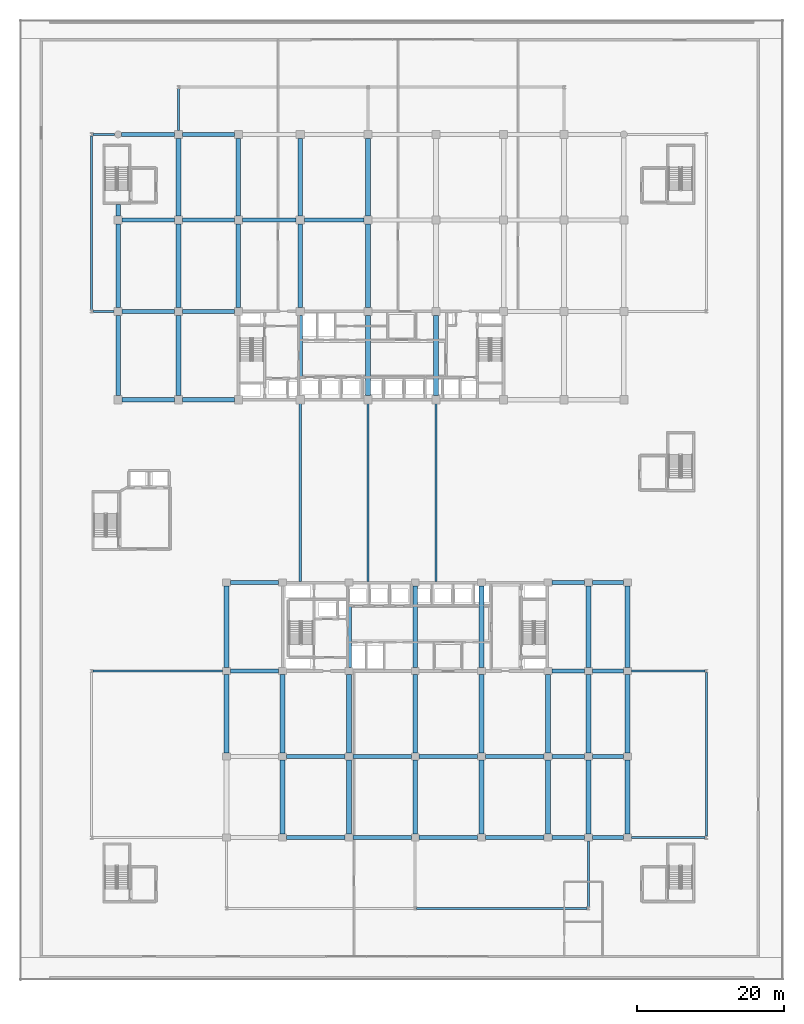
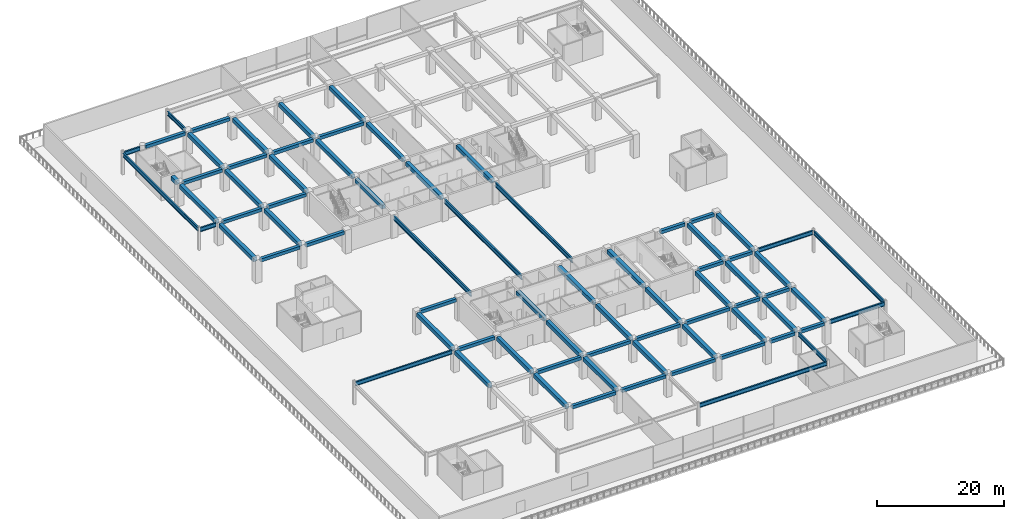
# One storey, part 10 of 43: 77 beams.
"""IFC4 building model written with IfcOpenShell, lengths in metres."""

from ifc_helpers import new_model, si_unit, direction, frame, origin, origin_2d, place, context, subcontext, project, spatial, rectangle, i_section, extrude, material, material_profile, profile_set, type_object, element, save


model = new_model("IFC4")

# Units and contexts
model_context = context("Model", 3, precision=1e-05, world=origin(), true_north=direction((0.0, 1.0)))
body_context = subcontext(model_context, "Body", "Model", "MODEL_VIEW")
ifc_project = project(units=[si_unit("LENGTHUNIT", "METRE"), si_unit("AREAUNIT", "SQUARE_METRE"), si_unit("VOLUMEUNIT", "CUBIC_METRE"), si_unit("PLANEANGLEUNIT", "RADIAN"), si_unit("MASSUNIT", "GRAM", prefix="KILO")], contexts=[model_context])

# Site, building, storey
site_placement = place(None, origin())
site = spatial("IfcSite", under=ifc_project, at=site_placement, CompositionType="ELEMENT")
building_placement = place(site_placement, origin())
building = spatial("IfcBuilding", under=site, at=building_placement, Name="Korimba Cascade Residences", CompositionType="ELEMENT")
storey_placement = place(building_placement, frame((0.0, 0.0, 10.0)))
storey = spatial("IfcBuildingStorey", under=building, at=storey_placement, Name="L02", CompositionType="ELEMENT", Elevation=10.0)

# Beams
ifc_material_1 = material(Name="Concrete C50/60", Category="concrete")
ifc_material_profile_1 = material_profile(ifc_material_1, rectangle(XDim=0.550048828125, YDim=0.60009765625, at=origin_2d()), Name="Concrete C50/60")
ifc_profile_set_1 = profile_set([ifc_material_profile_1], Name="Concrete C50/60")
beam_type_1 = type_object("IfcBeamType", Name="BM-RC-B600", PredefinedType="BEAM", material=ifc_profile_set_1)
beam_1_placement = place(storey_placement, frame((60.35009765625, 55.199951171875, 3.89990234375), z_axis=(1.0, 0.0, 0.0), x_axis=(0.0, 1.0, 0.0)))
element("IfcBeam", 1, at=beam_1_placement, inside=storey, type_object=beam_type_1, Name="L02 T1 E-W Girder Y1 Bay 1", PredefinedType="BEAM", context=body_context, shape_type="SweptSolid", body=[
    extrude(rectangle(XDim=0.550048828125, YDim=0.60009765625, at=origin_2d()), origin(), (0.0, 0.0, 1.0), 7.099853515625),
])
beam_2_placement = place(storey_placement, frame((68.550048828125, 55.199951171875, 3.89990234375), z_axis=(1.0, 0.0, 0.0), x_axis=(0.0, 1.0, 0.0)))
element("IfcBeam", 2, at=beam_2_placement, inside=storey, type_object=beam_type_1, Name="L02 T1 E-W Girder Y1 Bay 2", PredefinedType="BEAM", context=body_context, shape_type="SweptSolid", body=[
    extrude(rectangle(XDim=0.550048828125, YDim=0.60009765625, at=origin_2d()), origin(), (0.0, 0.0, 1.0), 7.0),
])
beam_3_placement = place(storey_placement, frame((60.35009765625, 67.199951171875, 3.89990234375), z_axis=(1.0, 0.0, 0.0), x_axis=(0.0, 1.0, 0.0)))
element("IfcBeam", 3, at=beam_3_placement, inside=storey, type_object=beam_type_1, Name="L02 T1 E-W Girder Y2 Bay 1", PredefinedType="BEAM", context=body_context, shape_type="SweptSolid", body=[
    extrude(rectangle(XDim=0.550048828125, YDim=0.60009765625, at=origin_2d()), origin(), (0.0, 0.0, 1.0), 7.099853515625),
])
beam_4_placement = place(storey_placement, frame((68.550048828125, 67.199951171875, 3.89990234375), z_axis=(1.0, 0.0, 0.0), x_axis=(0.0, 1.0, 0.0)))
element("IfcBeam", 4, at=beam_4_placement, inside=storey, type_object=beam_type_1, Name="L02 T1 E-W Girder Y2 Bay 2", PredefinedType="BEAM", context=body_context, shape_type="SweptSolid", body=[
    extrude(rectangle(XDim=0.550048828125, YDim=0.60009765625, at=origin_2d()), origin(), (0.0, 0.0, 1.0), 7.0),
])
beam_5_placement = place(storey_placement, frame((60.35009765625, 79.60009765625, 3.89990234375), z_axis=(1.0, 0.0, 0.0), x_axis=(0.0, 1.0, 0.0)))
element("IfcBeam", 5, at=beam_5_placement, inside=storey, type_object=beam_type_1, Name="L02 T1 E-W Girder Y3 Bay 1", PredefinedType="BEAM", context=body_context, shape_type="SweptSolid", body=[
    extrude(rectangle(XDim=0.550048828125, YDim=0.60009765625, at=origin_2d()), origin(), (0.0, 0.0, 1.0), 7.099853515625),
])
beam_6_placement = place(storey_placement, frame((68.550048828125, 79.60009765625, 3.89990234375), z_axis=(1.0, 0.0, 0.0), x_axis=(0.0, 1.0, 0.0)))
element("IfcBeam", 6, at=beam_6_placement, inside=storey, type_object=beam_type_1, Name="L02 T1 E-W Girder Y3 Bay 2", PredefinedType="BEAM", context=body_context, shape_type="SweptSolid", body=[
    extrude(rectangle(XDim=0.550048828125, YDim=0.60009765625, at=origin_2d()), origin(), (0.0, 0.0, 1.0), 7.0),
])
beam_7_placement = place(storey_placement, frame((76.64990234375, 79.60009765625, 3.89990234375), z_axis=(1.0, 0.0, 0.0), x_axis=(0.0, 1.0, 0.0)))
element("IfcBeam", 7, at=beam_7_placement, inside=storey, type_object=beam_type_1, Name="L02 T1 E-W Girder Y3 Bay 3", PredefinedType="BEAM", context=body_context, shape_type="SweptSolid", body=[
    extrude(rectangle(XDim=0.550048828125, YDim=0.60009765625, at=origin_2d()), origin(), (0.0, 0.0, 1.0), 7.300048828125),
])
beam_8_placement = place(storey_placement, frame((85.050048828125, 79.60009765625, 3.89990234375), z_axis=(1.0, 0.0, 0.0), x_axis=(0.0, 1.0, 0.0)))
element("IfcBeam", 8, at=beam_8_placement, inside=storey, type_object=beam_type_1, Name="L02 T1 E-W Girder Y3 Bay 4", PredefinedType="BEAM", context=body_context, shape_type="SweptSolid", body=[
    extrude(rectangle(XDim=0.550048828125, YDim=0.60009765625, at=origin_2d()), origin(), (0.0, 0.0, 1.0), 8.099853515625),
])
beam_9_placement = place(storey_placement, frame((60.27490234375, 91.199951171875, 3.89990234375), z_axis=(1.0, 0.0, 0.0), x_axis=(0.0, 1.0, 0.0)))
element("IfcBeam", 9, at=beam_9_placement, inside=storey, type_object=beam_type_1, Name="L02 T1 E-W Girder Y4 Bay 1", PredefinedType="BEAM", context=body_context, shape_type="SweptSolid", body=[
    extrude(rectangle(XDim=0.550048828125, YDim=0.60009765625, at=origin_2d()), origin(), (0.0, 0.0, 1.0), 7.175048828125),
])
beam_10_placement = place(storey_placement, frame((68.550048828125, 91.199951171875, 3.89990234375), z_axis=(1.0, 0.0, 0.0), x_axis=(0.0, 1.0, 0.0)))
element("IfcBeam", 10, at=beam_10_placement, inside=storey, type_object=beam_type_1, Name="L02 T1 E-W Girder Y4 Bay 2", PredefinedType="BEAM", context=body_context, shape_type="SweptSolid", body=[
    extrude(rectangle(XDim=0.550048828125, YDim=0.60009765625, at=origin_2d()), origin(), (0.0, 0.0, 1.0), 7.0),
])
for number, where, z_axis, x_axis, name in (
    (11, (82.625, -4.199951171875, 3.89990234375), (1.0, 0.0, 0.0), (0.0, 1.0, 0.0), "L02 T2 E-W Girder Y1 Bay 2"),
    (12, (91.625, -4.199951171875, 3.89990234375), (1.0, 0.0, 0.0), (0.0, 1.0, 0.0), "L02 T2 E-W Girder Y1 Bay 3"),
    (13, (100.625, -4.199951171875, 3.89990234375), (1.0, 0.0, 0.0), (0.0, 1.0, 0.0), "L02 T2 E-W Girder Y1 Bay 4"),
    (14, (109.625, -4.199951171875, 3.89990234375), (1.0, 0.0, 0.0), (0.0, 1.0, 0.0), "L02 T2 E-W Girder Y1 Bay 5"),
):
    element("IfcBeam", number, at=place(storey_placement, frame(where, z_axis=z_axis, x_axis=x_axis)), inside=storey, type_object=beam_type_1, Name=name, PredefinedType="BEAM", context=body_context, shape_type="SweptSolid", body=[
        extrude(rectangle(XDim=0.550048828125, YDim=0.60009765625, at=origin_2d()), origin(), (0.0, 0.0, 1.0), 7.949951171875),
    ])
beam_11_placement = place(storey_placement, frame((118.625, -4.199951171875, 3.89990234375), z_axis=(1.0, 0.0, 0.0), x_axis=(0.0, 1.0, 0.0)))
element("IfcBeam", 15, at=beam_11_placement, inside=storey, type_object=beam_type_1, Name="L02 T2 E-W Girder Y1 Bay 6", PredefinedType="BEAM", context=body_context, shape_type="SweptSolid", body=[
    extrude(rectangle(XDim=0.550048828125, YDim=0.60009765625, at=origin_2d()), origin(), (0.0, 0.0, 1.0), 4.449951171875),
])
beam_12_placement = place(storey_placement, frame((124.125, -4.199951171875, 3.89990234375), z_axis=(1.0, 0.0, 0.0), x_axis=(0.0, 1.0, 0.0)))
element("IfcBeam", 16, at=beam_12_placement, inside=storey, type_object=beam_type_1, Name="L02 T2 E-W Girder Y1 Bay 7", PredefinedType="BEAM", context=body_context, shape_type="SweptSolid", body=[
    extrude(rectangle(XDim=0.550048828125, YDim=0.60009765625, at=origin_2d()), origin(), (0.0, 0.0, 1.0), 4.25),
])
for number, where, z_axis, x_axis, name in (
    (17, (82.625, 6.800048828125, 3.89990234375), (1.0, 0.0, 0.0), (0.0, 1.0, 0.0), "L02 T2 E-W Girder Y2 Bay 2"),
    (18, (91.625, 6.800048828125, 3.89990234375), (1.0, 0.0, 0.0), (0.0, 1.0, 0.0), "L02 T2 E-W Girder Y2 Bay 3"),
    (19, (100.625, 6.800048828125, 3.89990234375), (1.0, 0.0, 0.0), (0.0, 1.0, 0.0), "L02 T2 E-W Girder Y2 Bay 4"),
    (20, (109.625, 6.800048828125, 3.89990234375), (1.0, 0.0, 0.0), (0.0, 1.0, 0.0), "L02 T2 E-W Girder Y2 Bay 5"),
):
    element("IfcBeam", number, at=place(storey_placement, frame(where, z_axis=z_axis, x_axis=x_axis)), inside=storey, type_object=beam_type_1, Name=name, PredefinedType="BEAM", context=body_context, shape_type="SweptSolid", body=[
        extrude(rectangle(XDim=0.550048828125, YDim=0.60009765625, at=origin_2d()), origin(), (0.0, 0.0, 1.0), 7.949951171875),
    ])
beam_13_placement = place(storey_placement, frame((118.625, 6.800048828125, 3.89990234375), z_axis=(1.0, 0.0, 0.0), x_axis=(0.0, 1.0, 0.0)))
element("IfcBeam", 21, at=beam_13_placement, inside=storey, type_object=beam_type_1, Name="L02 T2 E-W Girder Y2 Bay 6", PredefinedType="BEAM", context=body_context, shape_type="SweptSolid", body=[
    extrude(rectangle(XDim=0.550048828125, YDim=0.60009765625, at=origin_2d()), origin(), (0.0, 0.0, 1.0), 4.449951171875),
])
beam_14_placement = place(storey_placement, frame((124.125, 6.800048828125, 3.89990234375), z_axis=(1.0, 0.0, 0.0), x_axis=(0.0, 1.0, 0.0)))
element("IfcBeam", 22, at=beam_14_placement, inside=storey, type_object=beam_type_1, Name="L02 T2 E-W Girder Y2 Bay 7", PredefinedType="BEAM", context=body_context, shape_type="SweptSolid", body=[
    extrude(rectangle(XDim=0.550048828125, YDim=0.60009765625, at=origin_2d()), origin(), (0.0, 0.0, 1.0), 4.25),
])
beam_15_placement = place(storey_placement, frame((75.02490234375, 18.39990234375, 3.89990234375), z_axis=(1.0, 0.0, 0.0), x_axis=(0.0, 1.0, 0.0)))
element("IfcBeam", 23, at=beam_15_placement, inside=storey, type_object=beam_type_1, Name="L02 T2 E-W Girder Y3 Bay 1", PredefinedType="BEAM", context=body_context, shape_type="SweptSolid", body=[
    extrude(rectangle(XDim=0.550048828125, YDim=0.60009765625, at=origin_2d()), origin(), (0.0, 0.0, 1.0), 6.550048828125),
])
beam_16_placement = place(storey_placement, frame((118.625, 18.39990234375, 3.89990234375), z_axis=(1.0, 0.0, 0.0), x_axis=(0.0, 1.0, 0.0)))
element("IfcBeam", 24, at=beam_16_placement, inside=storey, type_object=beam_type_1, Name="L02 T2 E-W Girder Y3 Bay 6", PredefinedType="BEAM", context=body_context, shape_type="SweptSolid", body=[
    extrude(rectangle(XDim=0.550048828125, YDim=0.60009765625, at=origin_2d()), origin(), (0.0, 0.0, 1.0), 4.449951171875),
])
beam_17_placement = place(storey_placement, frame((124.125, 18.39990234375, 3.89990234375), z_axis=(1.0, 0.0, 0.0), x_axis=(0.0, 1.0, 0.0)))
element("IfcBeam", 25, at=beam_17_placement, inside=storey, type_object=beam_type_1, Name="L02 T2 E-W Girder Y3 Bay 7", PredefinedType="BEAM", context=body_context, shape_type="SweptSolid", body=[
    extrude(rectangle(XDim=0.550048828125, YDim=0.60009765625, at=origin_2d()), origin(), (0.0, 0.0, 1.0), 4.25),
])
beam_18_placement = place(storey_placement, frame((75.02490234375, 30.39990234375, 3.89990234375), z_axis=(1.0, 0.0, 0.0), x_axis=(0.0, 1.0, 0.0)))
element("IfcBeam", 26, at=beam_18_placement, inside=storey, type_object=beam_type_1, Name="L02 T2 E-W Girder Y4 Bay 1", PredefinedType="BEAM", context=body_context, shape_type="SweptSolid", body=[
    extrude(rectangle(XDim=0.550048828125, YDim=0.60009765625, at=origin_2d()), origin(), (0.0, 0.0, 1.0), 6.550048828125),
])
beam_19_placement = place(storey_placement, frame((118.625, 30.39990234375, 3.89990234375), z_axis=(1.0, 0.0, 0.0), x_axis=(0.0, 1.0, 0.0)))
element("IfcBeam", 27, at=beam_19_placement, inside=storey, type_object=beam_type_1, Name="L02 T2 E-W Girder Y4 Bay 6", PredefinedType="BEAM", context=body_context, shape_type="SweptSolid", body=[
    extrude(rectangle(XDim=0.550048828125, YDim=0.60009765625, at=origin_2d()), origin(), (0.0, 0.0, 1.0), 4.449951171875),
])
beam_20_placement = place(storey_placement, frame((124.125, 30.39990234375, 3.89990234375), z_axis=(1.0, 0.0, 0.0), x_axis=(0.0, 1.0, 0.0)))
element("IfcBeam", 28, at=beam_20_placement, inside=storey, type_object=beam_type_1, Name="L02 T2 E-W Girder Y4 Bay 7", PredefinedType="BEAM", context=body_context, shape_type="SweptSolid", body=[
    extrude(rectangle(XDim=0.550048828125, YDim=0.60009765625, at=origin_2d()), origin(), (0.0, 0.0, 1.0), 4.25),
])
ifc_material_profile_2 = material_profile(ifc_material_1, rectangle(XDim=0.64990234375, YDim=0.75, at=origin_2d()), Name="Concrete C50/60")
ifc_profile_set_2 = profile_set([ifc_material_profile_2], Name="Concrete C50/60")
beam_type_2 = type_object("IfcBeamType", Name="BM-RC-G750", PredefinedType="BEAM", material=ifc_profile_set_2)
beam_21_placement = place(storey_placement, frame((59.800048828125, 55.75, 3.824951171875), z_axis=(0.0, 1.0, 0.0), x_axis=(-1.0, 0.0, 0.0)))
element("IfcBeam", 29, at=beam_21_placement, inside=storey, type_object=beam_type_2, Name="L02 T1 N-S Girder X1 Seg 1", PredefinedType="BEAM", context=body_context, shape_type="SweptSolid", body=[
    extrude(rectangle(XDim=0.64990234375, YDim=0.75, at=origin_2d()), origin(), (0.0, 0.0, 1.0), 10.89990234375),
])
beam_22_placement = place(storey_placement, frame((59.800048828125, 67.75, 3.824951171875), z_axis=(0.0, 1.0, 0.0), x_axis=(-1.0, 0.0, 0.0)))
element("IfcBeam", 30, at=beam_22_placement, inside=storey, type_object=beam_type_2, Name="L02 T1 N-S Girder X1 Seg 2", PredefinedType="BEAM", context=body_context, shape_type="SweptSolid", body=[
    extrude(rectangle(XDim=0.64990234375, YDim=0.75, at=origin_2d()), origin(), (0.0, 0.0, 1.0), 11.300048828125),
])
beam_23_placement = place(storey_placement, frame((59.800048828125, 80.14990234375, 3.824951171875), z_axis=(0.0, 1.0, 0.0), x_axis=(-1.0, 0.0, 0.0)))
element("IfcBeam", 31, at=beam_23_placement, inside=storey, type_object=beam_type_2, Name="L02 T1 N-S Girder X1 Seg 3", PredefinedType="BEAM", context=body_context, shape_type="SweptSolid", body=[
    extrude(rectangle(XDim=0.64990234375, YDim=0.75, at=origin_2d()), origin(), (0.0, 0.0, 1.0), 1.550048828125),
])
beam_24_placement = place(storey_placement, frame((68.0, 55.75, 3.824951171875), z_axis=(0.0, 1.0, 0.0), x_axis=(-1.0, 0.0, 0.0)))
element("IfcBeam", 32, at=beam_24_placement, inside=storey, type_object=beam_type_2, Name="L02 T1 N-S Girder X2 Seg 1", PredefinedType="BEAM", context=body_context, shape_type="SweptSolid", body=[
    extrude(rectangle(XDim=0.64990234375, YDim=0.75, at=origin_2d()), origin(), (0.0, 0.0, 1.0), 10.89990234375),
])
beam_25_placement = place(storey_placement, frame((68.0, 67.75, 3.824951171875), z_axis=(0.0, 1.0, 0.0), x_axis=(-1.0, 0.0, 0.0)))
element("IfcBeam", 33, at=beam_25_placement, inside=storey, type_object=beam_type_2, Name="L02 T1 N-S Girder X2 Seg 2", PredefinedType="BEAM", context=body_context, shape_type="SweptSolid", body=[
    extrude(rectangle(XDim=0.64990234375, YDim=0.75, at=origin_2d()), origin(), (0.0, 0.0, 1.0), 11.300048828125),
])
beam_26_placement = place(storey_placement, frame((68.0, 80.14990234375, 3.824951171875), z_axis=(0.0, 1.0, 0.0), x_axis=(-1.0, 0.0, 0.0)))
element("IfcBeam", 34, at=beam_26_placement, inside=storey, type_object=beam_type_2, Name="L02 T1 N-S Girder X2 Seg 3", PredefinedType="BEAM", context=body_context, shape_type="SweptSolid", body=[
    extrude(rectangle(XDim=0.64990234375, YDim=0.75, at=origin_2d()), origin(), (0.0, 0.0, 1.0), 10.5),
])
beam_27_placement = place(storey_placement, frame((76.10009765625, 67.75, 3.824951171875), z_axis=(0.0, 1.0, 0.0), x_axis=(-1.0, 0.0, 0.0)))
element("IfcBeam", 35, at=beam_27_placement, inside=storey, type_object=beam_type_2, Name="L02 T1 N-S Girder X3 Seg 2", PredefinedType="BEAM", context=body_context, shape_type="SweptSolid", body=[
    extrude(rectangle(XDim=0.64990234375, YDim=0.75, at=origin_2d()), origin(), (0.0, 0.0, 1.0), 11.300048828125),
])
beam_28_placement = place(storey_placement, frame((76.10009765625, 80.14990234375, 3.824951171875), z_axis=(0.0, 1.0, 0.0), x_axis=(-1.0, 0.0, 0.0)))
element("IfcBeam", 36, at=beam_28_placement, inside=storey, type_object=beam_type_2, Name="L02 T1 N-S Girder X3 Seg 3", PredefinedType="BEAM", context=body_context, shape_type="SweptSolid", body=[
    extrude(rectangle(XDim=0.64990234375, YDim=0.75, at=origin_2d()), origin(), (0.0, 0.0, 1.0), 10.5),
])
beam_29_placement = place(storey_placement, frame((84.5, 58.159912109375, 3.824951171875), z_axis=(0.0, 1.0, 0.0), x_axis=(-1.0, 0.0, 0.0)))
element("IfcBeam", 37, at=beam_29_placement, inside=storey, type_object=beam_type_2, Name="L02 T1 N-S Girder X4 Seg 1", PredefinedType="BEAM", context=body_context, shape_type="SweptSolid", body=[
    extrude(rectangle(XDim=0.64990234375, YDim=0.75, at=origin_2d()), origin(), (0.0, 0.0, 1.0), 8.489990234375),
])
beam_30_placement = place(storey_placement, frame((84.5, 67.75, 3.824951171875), z_axis=(0.0, 1.0, 0.0), x_axis=(-1.0, 0.0, 0.0)))
element("IfcBeam", 38, at=beam_30_placement, inside=storey, type_object=beam_type_2, Name="L02 T1 N-S Girder X4 Seg 2", PredefinedType="BEAM", context=body_context, shape_type="SweptSolid", body=[
    extrude(rectangle(XDim=0.64990234375, YDim=0.75, at=origin_2d()), origin(), (0.0, 0.0, 1.0), 11.300048828125),
])
beam_31_placement = place(storey_placement, frame((84.5, 80.14990234375, 3.824951171875), z_axis=(0.0, 1.0, 0.0), x_axis=(-1.0, 0.0, 0.0)))
element("IfcBeam", 39, at=beam_31_placement, inside=storey, type_object=beam_type_2, Name="L02 T1 N-S Girder X4 Seg 3", PredefinedType="BEAM", context=body_context, shape_type="SweptSolid", body=[
    extrude(rectangle(XDim=0.64990234375, YDim=0.75, at=origin_2d()), origin(), (0.0, 0.0, 1.0), 10.5),
])
beam_32_placement = place(storey_placement, frame((93.699951171875, 55.75, 3.824951171875), z_axis=(0.0, 1.0, 0.0), x_axis=(-1.0, 0.0, 0.0)))
element("IfcBeam", 40, at=beam_32_placement, inside=storey, type_object=beam_type_2, Name="L02 T1 N-S Girder X5 Seg 1", PredefinedType="BEAM", context=body_context, shape_type="SweptSolid", body=[
    extrude(rectangle(XDim=0.64990234375, YDim=0.75, at=origin_2d()), origin(), (0.0, 0.0, 1.0), 10.89990234375),
])
beam_33_placement = place(storey_placement, frame((93.699951171875, 67.75, 3.824951171875), z_axis=(0.0, 1.0, 0.0), x_axis=(-1.0, 0.0, 0.0)))
element("IfcBeam", 41, at=beam_33_placement, inside=storey, type_object=beam_type_2, Name="L02 T1 N-S Girder X5 Seg 2", PredefinedType="BEAM", context=body_context, shape_type="SweptSolid", body=[
    extrude(rectangle(XDim=0.64990234375, YDim=0.75, at=origin_2d()), origin(), (0.0, 0.0, 1.0), 11.300048828125),
])
beam_34_placement = place(storey_placement, frame((93.699951171875, 80.14990234375, 3.824951171875), z_axis=(0.0, 1.0, 0.0), x_axis=(-1.0, 0.0, 0.0)))
element("IfcBeam", 42, at=beam_34_placement, inside=storey, type_object=beam_type_2, Name="L02 T1 N-S Girder X5 Seg 3", PredefinedType="BEAM", context=body_context, shape_type="SweptSolid", body=[
    extrude(rectangle(XDim=0.64990234375, YDim=0.75, at=origin_2d()), origin(), (0.0, 0.0, 1.0), 10.5),
])
beam_35_placement = place(storey_placement, frame((102.89990234375, 55.75, 3.824951171875), z_axis=(0.0, 1.0, 0.0), x_axis=(-1.0, 0.0, 0.0)))
element("IfcBeam", 43, at=beam_35_placement, inside=storey, type_object=beam_type_2, Name="L02 T1 N-S Girder X6 Seg 1", PredefinedType="BEAM", context=body_context, shape_type="SweptSolid", body=[
    extrude(rectangle(XDim=0.64990234375, YDim=0.75, at=origin_2d()), origin(), (0.0, 0.0, 1.0), 10.89990234375),
])
beam_36_placement = place(storey_placement, frame((74.5, 7.27490234375, 3.824951171875), z_axis=(0.0, 1.0, 0.0), x_axis=(-1.0, 0.0, 0.0)))
element("IfcBeam", 44, at=beam_36_placement, inside=storey, type_object=beam_type_2, Name="L02 T2 N-S Girder X1 Seg 2", PredefinedType="BEAM", context=body_context, shape_type="SweptSolid", body=[
    extrude(rectangle(XDim=0.64990234375, YDim=0.75, at=origin_2d()), origin(), (0.0, 0.0, 1.0), 10.650146484375),
])
beam_37_placement = place(storey_placement, frame((74.5, 18.875, 3.824951171875), z_axis=(0.0, 1.0, 0.0), x_axis=(-1.0, 0.0, 0.0)))
element("IfcBeam", 45, at=beam_37_placement, inside=storey, type_object=beam_type_2, Name="L02 T2 N-S Girder X1 Seg 3", PredefinedType="BEAM", context=body_context, shape_type="SweptSolid", body=[
    extrude(rectangle(XDim=0.64990234375, YDim=0.75, at=origin_2d()), origin(), (0.0, 0.0, 1.0), 11.050048828125),
])
beam_38_placement = place(storey_placement, frame((82.10009765625, -3.72509765625, 3.824951171875), z_axis=(0.0, 1.0, 0.0), x_axis=(-1.0, 0.0, 0.0)))
element("IfcBeam", 46, at=beam_38_placement, inside=storey, type_object=beam_type_2, Name="L02 T2 N-S Girder X2 Seg 1", PredefinedType="BEAM", context=body_context, shape_type="SweptSolid", body=[
    extrude(rectangle(XDim=0.64990234375, YDim=0.75, at=origin_2d()), origin(), (0.0, 0.0, 1.0), 10.050048828125),
])
beam_39_placement = place(storey_placement, frame((82.10009765625, 7.27490234375, 3.824951171875), z_axis=(0.0, 1.0, 0.0), x_axis=(-1.0, 0.0, 0.0)))
element("IfcBeam", 47, at=beam_39_placement, inside=storey, type_object=beam_type_2, Name="L02 T2 N-S Girder X2 Seg 2", PredefinedType="BEAM", context=body_context, shape_type="SweptSolid", body=[
    extrude(rectangle(XDim=0.64990234375, YDim=0.75, at=origin_2d()), origin(), (0.0, 0.0, 1.0), 10.650146484375),
])
beam_40_placement = place(storey_placement, frame((91.10009765625, -3.72509765625, 3.824951171875), z_axis=(0.0, 1.0, 0.0), x_axis=(-1.0, 0.0, 0.0)))
element("IfcBeam", 48, at=beam_40_placement, inside=storey, type_object=beam_type_2, Name="L02 T2 N-S Girder X3 Seg 1", PredefinedType="BEAM", context=body_context, shape_type="SweptSolid", body=[
    extrude(rectangle(XDim=0.64990234375, YDim=0.75, at=origin_2d()), origin(), (0.0, 0.0, 1.0), 10.050048828125),
])
beam_41_placement = place(storey_placement, frame((91.10009765625, 7.27490234375, 3.824951171875), z_axis=(0.0, 1.0, 0.0), x_axis=(-1.0, 0.0, 0.0)))
element("IfcBeam", 49, at=beam_41_placement, inside=storey, type_object=beam_type_2, Name="L02 T2 N-S Girder X3 Seg 2", PredefinedType="BEAM", context=body_context, shape_type="SweptSolid", body=[
    extrude(rectangle(XDim=0.64990234375, YDim=0.75, at=origin_2d()), origin(), (0.0, 0.0, 1.0), 10.650146484375),
])
beam_42_placement = place(storey_placement, frame((91.10009765625, 18.875, 3.824951171875), z_axis=(0.0, 1.0, 0.0), x_axis=(-1.0, 0.0, 0.0)))
element("IfcBeam", 50, at=beam_42_placement, inside=storey, type_object=beam_type_2, Name="L02 T2 N-S Girder X3 Seg 3", PredefinedType="BEAM", context=body_context, shape_type="SweptSolid", body=[
    extrude(rectangle(XDim=0.64990234375, YDim=0.75, at=origin_2d()), origin(), (0.0, 0.0, 1.0), 8.465087890625),
])
beam_43_placement = place(storey_placement, frame((100.10009765625, -3.72509765625, 3.824951171875), z_axis=(0.0, 1.0, 0.0), x_axis=(-1.0, 0.0, 0.0)))
element("IfcBeam", 51, at=beam_43_placement, inside=storey, type_object=beam_type_2, Name="L02 T2 N-S Girder X4 Seg 1", PredefinedType="BEAM", context=body_context, shape_type="SweptSolid", body=[
    extrude(rectangle(XDim=0.64990234375, YDim=0.75, at=origin_2d()), origin(), (0.0, 0.0, 1.0), 10.050048828125),
])
beam_44_placement = place(storey_placement, frame((100.10009765625, 7.27490234375, 3.824951171875), z_axis=(0.0, 1.0, 0.0), x_axis=(-1.0, 0.0, 0.0)))
element("IfcBeam", 52, at=beam_44_placement, inside=storey, type_object=beam_type_2, Name="L02 T2 N-S Girder X4 Seg 2", PredefinedType="BEAM", context=body_context, shape_type="SweptSolid", body=[
    extrude(rectangle(XDim=0.64990234375, YDim=0.75, at=origin_2d()), origin(), (0.0, 0.0, 1.0), 10.650146484375),
])
beam_45_placement = place(storey_placement, frame((100.10009765625, 18.875, 3.824951171875), z_axis=(0.0, 1.0, 0.0), x_axis=(-1.0, 0.0, 0.0)))
element("IfcBeam", 53, at=beam_45_placement, inside=storey, type_object=beam_type_2, Name="L02 T2 N-S Girder X4 Seg 3", PredefinedType="BEAM", context=body_context, shape_type="SweptSolid", body=[
    extrude(rectangle(XDim=0.64990234375, YDim=0.75, at=origin_2d()), origin(), (0.0, 0.0, 1.0), 11.050048828125),
])
beam_46_placement = place(storey_placement, frame((109.10009765625, -3.72509765625, 3.824951171875), z_axis=(0.0, 1.0, 0.0), x_axis=(-1.0, 0.0, 0.0)))
element("IfcBeam", 54, at=beam_46_placement, inside=storey, type_object=beam_type_2, Name="L02 T2 N-S Girder X5 Seg 1", PredefinedType="BEAM", context=body_context, shape_type="SweptSolid", body=[
    extrude(rectangle(XDim=0.64990234375, YDim=0.75, at=origin_2d()), origin(), (0.0, 0.0, 1.0), 10.050048828125),
])
beam_47_placement = place(storey_placement, frame((109.10009765625, 7.27490234375, 3.824951171875), z_axis=(0.0, 1.0, 0.0), x_axis=(-1.0, 0.0, 0.0)))
element("IfcBeam", 55, at=beam_47_placement, inside=storey, type_object=beam_type_2, Name="L02 T2 N-S Girder X5 Seg 2", PredefinedType="BEAM", context=body_context, shape_type="SweptSolid", body=[
    extrude(rectangle(XDim=0.64990234375, YDim=0.75, at=origin_2d()), origin(), (0.0, 0.0, 1.0), 10.650146484375),
])
beam_48_placement = place(storey_placement, frame((109.10009765625, 18.875, 3.824951171875), z_axis=(0.0, 1.0, 0.0), x_axis=(-1.0, 0.0, 0.0)))
element("IfcBeam", 56, at=beam_48_placement, inside=storey, type_object=beam_type_2, Name="L02 T2 N-S Girder X5 Seg 3", PredefinedType="BEAM", context=body_context, shape_type="SweptSolid", body=[
    extrude(rectangle(XDim=0.64990234375, YDim=0.75, at=origin_2d()), origin(), (0.0, 0.0, 1.0), 11.050048828125),
])
beam_49_placement = place(storey_placement, frame((118.10009765625, -3.72509765625, 3.824951171875), z_axis=(0.0, 1.0, 0.0), x_axis=(-1.0, 0.0, 0.0)))
element("IfcBeam", 57, at=beam_49_placement, inside=storey, type_object=beam_type_2, Name="L02 T2 N-S Girder X6 Seg 1", PredefinedType="BEAM", context=body_context, shape_type="SweptSolid", body=[
    extrude(rectangle(XDim=0.64990234375, YDim=0.75, at=origin_2d()), origin(), (0.0, 0.0, 1.0), 10.050048828125),
])
beam_50_placement = place(storey_placement, frame((118.10009765625, 7.27490234375, 3.824951171875), z_axis=(0.0, 1.0, 0.0), x_axis=(-1.0, 0.0, 0.0)))
element("IfcBeam", 58, at=beam_50_placement, inside=storey, type_object=beam_type_2, Name="L02 T2 N-S Girder X6 Seg 2", PredefinedType="BEAM", context=body_context, shape_type="SweptSolid", body=[
    extrude(rectangle(XDim=0.64990234375, YDim=0.75, at=origin_2d()), origin(), (0.0, 0.0, 1.0), 10.650146484375),
])
beam_51_placement = place(storey_placement, frame((123.60009765625, -3.72509765625, 3.824951171875), z_axis=(0.0, 1.0, 0.0), x_axis=(-1.0, 0.0, 0.0)))
element("IfcBeam", 59, at=beam_51_placement, inside=storey, type_object=beam_type_2, Name="L02 T2 N-S Girder X7 Seg 1", PredefinedType="BEAM", context=body_context, shape_type="SweptSolid", body=[
    extrude(rectangle(XDim=0.64990234375, YDim=0.75, at=origin_2d()), origin(), (0.0, 0.0, 1.0), 10.050048828125),
])
beam_52_placement = place(storey_placement, frame((123.60009765625, 7.27490234375, 3.824951171875), z_axis=(0.0, 1.0, 0.0), x_axis=(-1.0, 0.0, 0.0)))
element("IfcBeam", 60, at=beam_52_placement, inside=storey, type_object=beam_type_2, Name="L02 T2 N-S Girder X7 Seg 2", PredefinedType="BEAM", context=body_context, shape_type="SweptSolid", body=[
    extrude(rectangle(XDim=0.64990234375, YDim=0.75, at=origin_2d()), origin(), (0.0, 0.0, 1.0), 10.650146484375),
])
beam_53_placement = place(storey_placement, frame((123.60009765625, 18.875, 3.824951171875), z_axis=(0.0, 1.0, 0.0), x_axis=(-1.0, 0.0, 0.0)))
element("IfcBeam", 61, at=beam_53_placement, inside=storey, type_object=beam_type_2, Name="L02 T2 N-S Girder X7 Seg 3", PredefinedType="BEAM", context=body_context, shape_type="SweptSolid", body=[
    extrude(rectangle(XDim=0.64990234375, YDim=0.75, at=origin_2d()), origin(), (0.0, 0.0, 1.0), 11.050048828125),
])
beam_54_placement = place(storey_placement, frame((128.89990234375, -3.72509765625, 3.824951171875), z_axis=(0.0, 1.0, 0.0), x_axis=(-1.0, 0.0, 0.0)))
element("IfcBeam", 62, at=beam_54_placement, inside=storey, type_object=beam_type_2, Name="L02 T2 N-S Girder X8 Seg 1", PredefinedType="BEAM", context=body_context, shape_type="SweptSolid", body=[
    extrude(rectangle(XDim=0.64990234375, YDim=0.75, at=origin_2d()), origin(), (0.0, 0.0, 1.0), 10.050048828125),
])
beam_55_placement = place(storey_placement, frame((128.89990234375, 7.27490234375, 3.824951171875), z_axis=(0.0, 1.0, 0.0), x_axis=(-1.0, 0.0, 0.0)))
element("IfcBeam", 63, at=beam_55_placement, inside=storey, type_object=beam_type_2, Name="L02 T2 N-S Girder X8 Seg 2", PredefinedType="BEAM", context=body_context, shape_type="SweptSolid", body=[
    extrude(rectangle(XDim=0.64990234375, YDim=0.75, at=origin_2d()), origin(), (0.0, 0.0, 1.0), 10.650146484375),
])
beam_56_placement = place(storey_placement, frame((128.89990234375, 18.875, 3.824951171875), z_axis=(0.0, 1.0, 0.0), x_axis=(-1.0, 0.0, 0.0)))
element("IfcBeam", 64, at=beam_56_placement, inside=storey, type_object=beam_type_2, Name="L02 T2 N-S Girder X8 Seg 3", PredefinedType="BEAM", context=body_context, shape_type="SweptSolid", body=[
    extrude(rectangle(XDim=0.64990234375, YDim=0.75, at=origin_2d()), origin(), (0.0, 0.0, 1.0), 11.050048828125),
])
ifc_material_2 = material(Name="Steel S355", Category="steel")
ifc_material_profile_3 = material_profile(ifc_material_2, i_section(OverallWidth=0.26806640625, OverallDepth=0.769775390625, WebThickness=0.015625, FlangeThickness=0.025390625, FilletRadius=0.0166015625, at=origin_2d()), Name="Steel S355")
ifc_profile_set_3 = profile_set([ifc_material_profile_3], Name="Steel S355")
beam_type_3 = type_object("IfcBeamType", Name="BM-STL-UB762", PredefinedType="BEAM", material=ifc_profile_set_3)
beam_57_placement = place(storey_placement, frame((56.3994140625, 18.39990234375, 3.815185546875), z_axis=(1.0, 0.0, 0.0), x_axis=(0.0, 1.0, 0.0)))
element("IfcBeam", 65, at=beam_57_placement, inside=storey, type_object=beam_type_3, Name="L02 Podium Frame Girder W2", PredefinedType="BEAM", context=body_context, shape_type="SweptSolid", body=[
    extrude(i_section(OverallWidth=0.26806640625, OverallDepth=0.769775390625, WebThickness=0.015625, FlangeThickness=0.025390625, FilletRadius=0.0166015625, at=origin_2d()), origin(), (0.0, 0.0, 1.0), 17.57568359375),
])
beam_58_placement = place(storey_placement, frame((56.3994140625, 67.199951171875, 3.815185546875), z_axis=(1.0, 0.0, 0.0), x_axis=(0.0, 1.0, 0.0)))
element("IfcBeam", 66, at=beam_58_placement, inside=storey, type_object=beam_type_3, Name="L02 Podium Frame Girder W3", PredefinedType="BEAM", context=body_context, shape_type="SweptSolid", body=[
    extrude(i_section(OverallWidth=0.26806640625, OverallDepth=0.769775390625, WebThickness=0.015625, FlangeThickness=0.025390625, FilletRadius=0.0166015625, at=origin_2d()), origin(), (0.0, 0.0, 1.0), 2.8505859375),
])
beam_59_placement = place(storey_placement, frame((56.3994140625, 91.199951171875, 3.815185546875), z_axis=(1.0, 0.0, 0.0), x_axis=(0.0, 1.0, 0.0)))
element("IfcBeam", 67, at=beam_59_placement, inside=storey, type_object=beam_type_3, Name="L02 Podium Frame Girder W4", PredefinedType="BEAM", context=body_context, shape_type="SweptSolid", body=[
    extrude(i_section(OverallWidth=0.26806640625, OverallDepth=0.769775390625, WebThickness=0.015625, FlangeThickness=0.025390625, FilletRadius=0.0166015625, at=origin_2d()), origin(), (0.0, 0.0, 1.0), 2.925537109375),
])
beam_60_placement = place(storey_placement, frame((56.199951171875, 67.396728515625, 3.815185546875), z_axis=(0.0, 1.0, 0.0), x_axis=(-1.0, 0.0, 0.0)))
element("IfcBeam", 68, at=beam_60_placement, inside=storey, type_object=beam_type_3, Name="L02 Podium Frame Girder WS", PredefinedType="BEAM", context=body_context, shape_type="SweptSolid", body=[
    extrude(i_section(OverallWidth=0.26806640625, OverallDepth=0.769775390625, WebThickness=0.015625, FlangeThickness=0.025390625, FilletRadius=0.0166015625, at=origin_2d()), origin(), (0.0, 0.0, 1.0), 23.6064453125),
])
for number, where, z_axis, x_axis, name in (
    (69, (129.425048828125, -4.199951171875, 3.815185546875), (1.0, 0.0, 0.0), (0.0, 1.0, 0.0), "L02 Podium Frame Girder E1"),
    (70, (129.425048828125, 18.39990234375, 3.815185546875), (1.0, 0.0, 0.0), (0.0, 1.0, 0.0), "L02 Podium Frame Girder E2"),
):
    element("IfcBeam", number, at=place(storey_placement, frame(where, z_axis=z_axis, x_axis=x_axis)), inside=storey, type_object=beam_type_3, Name=name, PredefinedType="BEAM", context=body_context, shape_type="SweptSolid", body=[
        extrude(i_section(OverallWidth=0.26806640625, OverallDepth=0.769775390625, WebThickness=0.015625, FlangeThickness=0.025390625, FilletRadius=0.0166015625, at=origin_2d()), origin(), (0.0, 0.0, 1.0), 9.975341796875),
    ])
beam_61_placement = place(storey_placement, frame((139.60009765625, -4.003173828125, 3.815185546875), z_axis=(0.0, 1.0, 0.0), x_axis=(-1.0, 0.0, 0.0)))
element("IfcBeam", 71, at=beam_61_placement, inside=storey, type_object=beam_type_3, Name="L02 Podium Frame Girder EN", PredefinedType="BEAM", context=body_context, shape_type="SweptSolid", body=[
    extrude(i_section(OverallWidth=0.26806640625, OverallDepth=0.769775390625, WebThickness=0.015625, FlangeThickness=0.025390625, FilletRadius=0.0166015625, at=origin_2d()), origin(), (0.0, 0.0, 1.0), 22.206298828125),
])
beam_62_placement = place(storey_placement, frame((123.60009765625, -13.603271484375, 3.815185546875), z_axis=(0.0, 1.0, 0.0), x_axis=(-1.0, 0.0, 0.0)))
element("IfcBeam", 72, at=beam_62_placement, inside=storey, type_object=beam_type_3, Name="L02 Podium Frame Girder S3", PredefinedType="BEAM", context=body_context, shape_type="SweptSolid", body=[
    extrude(i_section(OverallWidth=0.26806640625, OverallDepth=0.769775390625, WebThickness=0.015625, FlangeThickness=0.025390625, FilletRadius=0.0166015625, at=origin_2d()), origin(), (0.0, 0.0, 1.0), 8.92822265625),
])
beam_63_placement = place(storey_placement, frame((100.299560546875, -13.800048828125, 3.815185546875), z_axis=(1.0, 0.0, 0.0), x_axis=(0.0, 1.0, 0.0)))
element("IfcBeam", 73, at=beam_63_placement, inside=storey, type_object=beam_type_3, Name="L02 Podium Frame Girder SH2", PredefinedType="BEAM", context=body_context, shape_type="SweptSolid", body=[
    extrude(i_section(OverallWidth=0.26806640625, OverallDepth=0.769775390625, WebThickness=0.015625, FlangeThickness=0.025390625, FilletRadius=0.0166015625, at=origin_2d()), origin(), (0.0, 0.0, 1.0), 23.100830078125),
])
beam_64_placement = place(storey_placement, frame((68.0, 91.75, 3.815185546875), z_axis=(0.0, 1.0, 0.0), x_axis=(-1.0, 0.0, 0.0)))
element("IfcBeam", 74, at=beam_64_placement, inside=storey, type_object=beam_type_3, Name="L02 Podium Frame Girder N1", PredefinedType="BEAM", context=body_context, shape_type="SweptSolid", body=[
    extrude(i_section(OverallWidth=0.26806640625, OverallDepth=0.769775390625, WebThickness=0.015625, FlangeThickness=0.025390625, FilletRadius=0.0166015625, at=origin_2d()), origin(), (0.0, 0.0, 1.0), 5.6533203125),
])
ifc_material_profile_4 = material_profile(ifc_material_2, i_section(OverallWidth=0.293701171875, OverallDepth=0.850830078125, WebThickness=0.01611328125, FlangeThickness=0.02685546875, FilletRadius=0.017822265625, at=origin_2d()), Name="Steel S355")
ifc_profile_set_4 = profile_set([ifc_material_profile_4], Name="Steel S355")
beam_type_4 = type_object("IfcBeamType", Name="BM-STL-UB838", PredefinedType="BEAM", material=ifc_profile_set_4)
for number, where, z_axis, x_axis, name in (
    (75, (84.5, 30.574951171875, 3.7744140625), (0.0, 1.0, 0.0), (-1.0, 0.0, 0.0), "L02 Podium Canyon Girder 1"),
    (76, (93.699951171875, 30.574951171875, 3.7744140625), (0.0, 1.0, 0.0), (-1.0, 0.0, 0.0), "L02 Podium Canyon Girder 2"),
    (77, (102.89990234375, 30.574951171875, 3.7744140625), (0.0, 1.0, 0.0), (-1.0, 0.0, 0.0), "L02 Podium Canyon Girder 3"),
):
    element("IfcBeam", number, at=place(storey_placement, frame(where, z_axis=z_axis, x_axis=x_axis)), inside=storey, type_object=beam_type_4, Name=name, PredefinedType="BEAM", context=body_context, shape_type="SweptSolid", body=[
        extrude(i_section(OverallWidth=0.293701171875, OverallDepth=0.850830078125, WebThickness=0.01611328125, FlangeThickness=0.02685546875, FilletRadius=0.017822265625, at=origin_2d()), origin(), (0.0, 0.0, 1.0), 24.449951171875),
    ])

save(model, "model.ifc")
